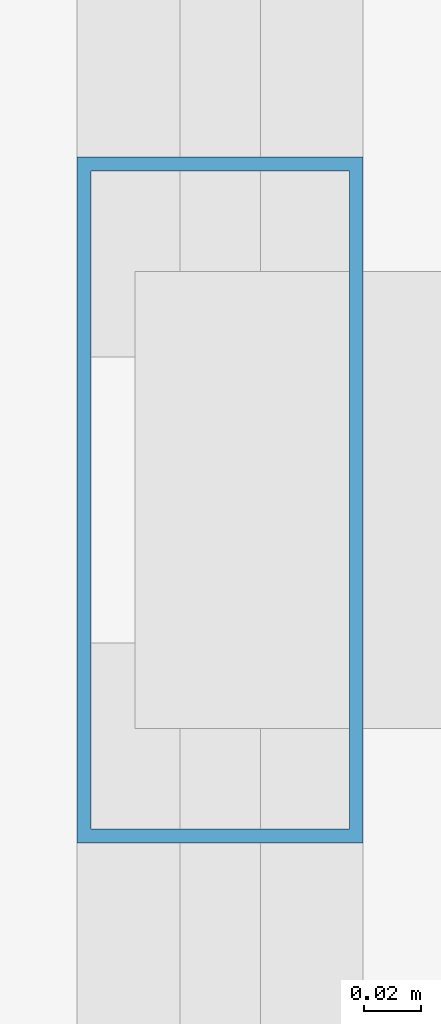
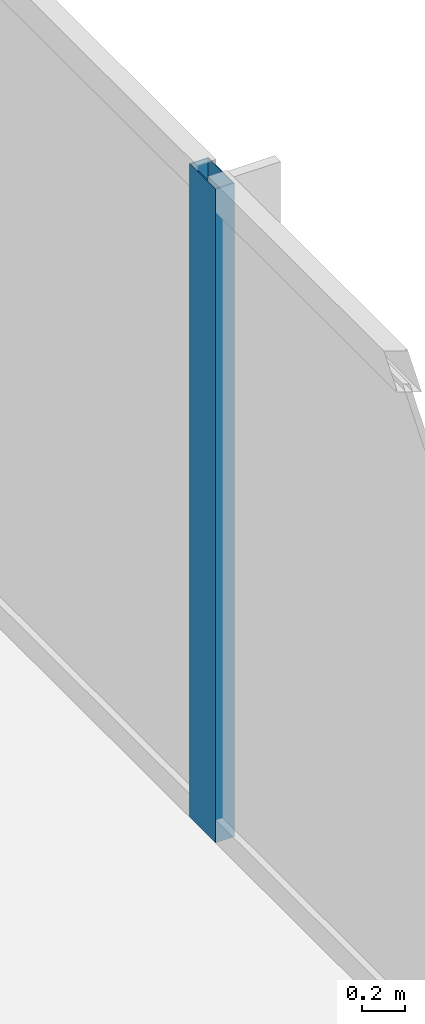
# One storey, part 13 of 34: 1 member, 1 element without a shape of its own.
"""IFC4 building model written with IfcOpenShell, lengths in metres."""

from ifc_helpers import new_model, si_unit, direction, frame, origin, origin_2d, place, context, subcontext, project, spatial, hollow_rectangle, extrude, material, layer, layer_set, material_profile, profile_set, type_object, element, aggregate, save


model = new_model("IFC4")

# Units and contexts
model_context = context("Model", 3, precision=1e-05, world=origin(), true_north=direction((0.0, 1.0)))
body_context = subcontext(model_context, "Body", "Model", "MODEL_VIEW")
ifc_project = project(units=[si_unit("LENGTHUNIT", "METRE"), si_unit("AREAUNIT", "SQUARE_METRE"), si_unit("VOLUMEUNIT", "CUBIC_METRE"), si_unit("PLANEANGLEUNIT", "RADIAN"), si_unit("MASSUNIT", "GRAM", prefix="KILO")], contexts=[model_context])

# Site, building, storey
site_placement = place(None, origin())
site = spatial("IfcSite", under=ifc_project, at=site_placement, CompositionType="ELEMENT")
building_placement = place(site_placement, origin())
building = spatial("IfcBuilding", under=site, at=building_placement, Name="Khorvyn Point Tower", CompositionType="ELEMENT")
storey_placement = place(building_placement, frame((0.0, 0.0, 175.800048828125)))
storey = spatial("IfcBuildingStorey", under=building, at=storey_placement, Name="L43", CompositionType="ELEMENT", Elevation=175.800048828125)

# Curtain wall, member
ifc_material_1 = material(Name="Anodised aluminium 6063-T6 and laminated Low-E glass", Category="aluminium")
ifc_layer = layer(ifc_material_1, 0.18994140625)
ifc_layer_set = layer_set([ifc_layer], Name="Stick-Built Acoustic Curtain Wall CW-SYS-03")
curtain_wall_type = type_object("IfcCurtainWallType", Name="Stick-Built Acoustic Curtain Wall CW-SYS-03", PredefinedType="NOTDEFINED", material=ifc_layer_set)
curtain_wall_placement = place(storey_placement, origin())
curtain_wall = element("IfcCurtainWall", 1, at=curtain_wall_placement, inside=storey, type_object=curtain_wall_type, Name="Curtain Wall", PredefinedType="NOTDEFINED")
ifc_material_2 = material(Name="Anodised aluminium 6063-T6", Category="aluminium")
ifc_material_profile = material_profile(ifc_material_2, hollow_rectangle(XDim=0.10009765625, YDim=0.239990234375, WallThickness=0.0048828125, at=origin_2d()))
ifc_profile_set = profile_set([ifc_material_profile], Name="Anodised aluminium 6063-T6 ALU-MUL-100x240")
member_type = type_object("IfcMemberType", Name="Anodised Aluminium 6063-T6 Mullion ALU-MUL-100x240", PredefinedType="MULLION", material=ifc_profile_set)
member_placement = place(storey_placement, frame((21.75, 0.0, 0.0), z_axis=(0.0, 0.0, 1.0), x_axis=(1.0, 0.0, 0.0)))
member = element("IfcMember", 2, at=member_placement, type_object=member_type, Name="Transom", PredefinedType="MULLION", context=body_context, shape_type="SweptSolid", body=[
    extrude(hollow_rectangle(XDim=0.10009765625, YDim=0.239990234375, WallThickness=0.0048828125, at=origin_2d()), origin(), (0.0, 0.0, 1.0), 3.679931640625),
])
aggregate(curtain_wall, [member])

save(model, "model.ifc")
